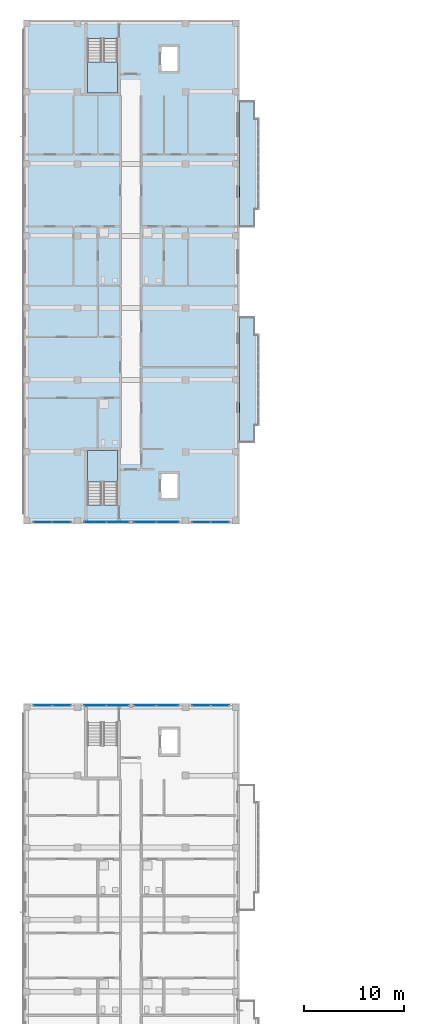
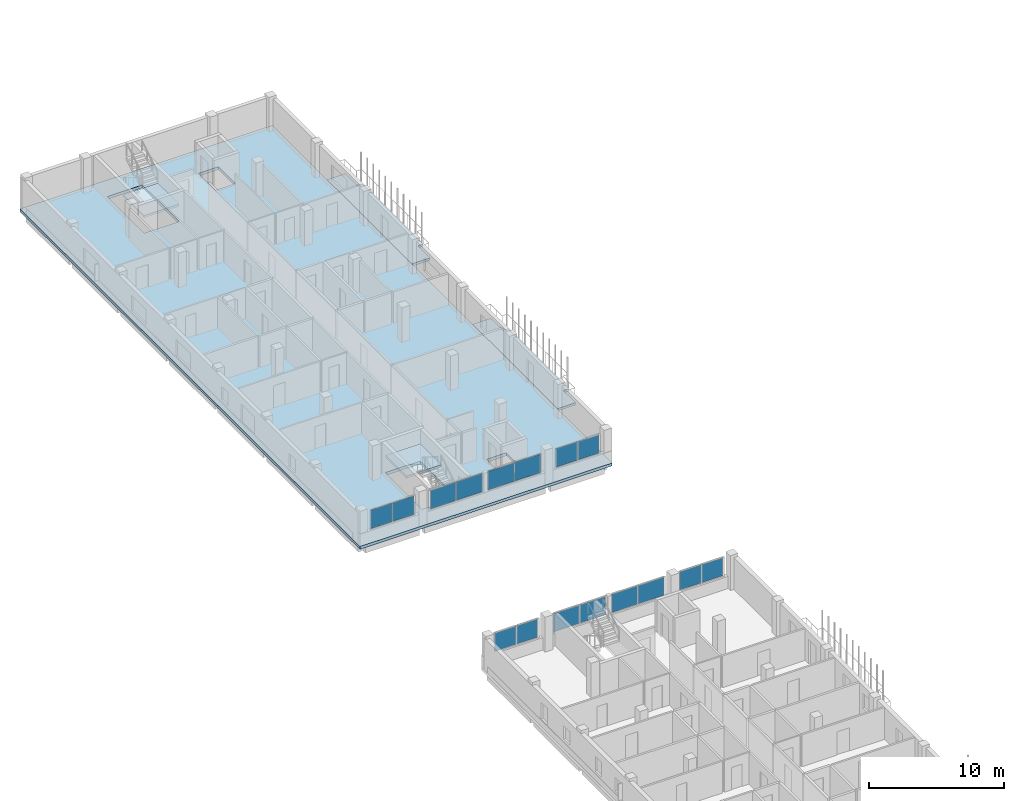
# One storey, part 21 of 51: 16 plates, 5 slabs, 10 elements without a shape of their own.
"""IFC4 building model written with IfcOpenShell, lengths in metres."""

from ifc_helpers import new_model, si_unit, derived_unit, direction, frame, origin, origin_2d, place, context, subcontext, project, spatial, polyline, rectangle, outline, extrude, material, layer, layer_set, type_object, element, aggregate, save


model = new_model("IFC4")

# Units and contexts
model_context = context("Model", 3, precision=1e-05, world=origin(), true_north=direction((0.0, 1.0)))
body_context = subcontext(model_context, "Body", "Model", "MODEL_VIEW")
ifc_project = project(units=[si_unit("LENGTHUNIT", "METRE"), si_unit("AREAUNIT", "SQUARE_METRE"), si_unit("VOLUMEUNIT", "CUBIC_METRE"), si_unit("PLANEANGLEUNIT", "RADIAN"), si_unit("MASSUNIT", "GRAM", prefix="KILO"), derived_unit("THERMALTRANSMITTANCEUNIT", [(si_unit("MASSUNIT", "GRAM", prefix="KILO"), 1), (si_unit("TIMEUNIT", "SECOND"), -3), (si_unit("THERMODYNAMICTEMPERATUREUNIT", "KELVIN"), -1)])], contexts=[model_context])

# Site, building, storey
site_placement = place(None, origin())
site = spatial("IfcSite", under=ifc_project, at=site_placement, CompositionType="ELEMENT")
building_placement = place(site_placement, origin())
building = spatial("IfcBuilding", under=site, at=building_placement, Name="Ochrekiln Boulevard Commons", CompositionType="ELEMENT")
storey_placement = place(building_placement, frame((0.0, 0.0, 18.375)))
storey = spatial("IfcBuildingStorey", under=building, at=storey_placement, Name="L05", CompositionType="ELEMENT", Elevation=18.375)

# Curtain wall, plates
ifc_material_1 = material(Name="Bronze-anodized extruded aluminium 6063-T6", Category="aluminium")
ifc_layer_1 = layer(ifc_material_1, 0.172119140625)
ifc_layer_set_1 = layer_set([ifc_layer_1], Name="Bronze-anodized extruded aluminium 6063-T6")
curtain_wall_type = type_object("IfcCurtainWallType", Name="CW-GABLE-A", PredefinedType="USERDEFINED", material=ifc_layer_set_1)
curtain_wall_1_placement = place(storey_placement, origin())
curtain_wall_1 = element("IfcCurtainWall", 1, at=curtain_wall_1_placement, inside=storey, type_object=curtain_wall_type, Name="Block A L05 Courtyard Glazed Gable Curtain Wall 4", ObjectType="GLAZED CURTAIN WALL", PredefinedType="USERDEFINED")
ifc_material_2 = material(Name="Spectrally selective low-E insulated glazing", Category="glass")
ifc_layer_2 = layer(ifc_material_2, 0.02392578125)
ifc_layer_set_2 = layer_set([ifc_layer_2], Name="Spectrally selective low-E insulated glazing")
plate_type_1 = type_object("IfcPlateType", Name="CWP-GLZ-1", PredefinedType="CURTAIN_PANEL", material=ifc_layer_set_2)
plate_1_placement = place(storey_placement, frame((17.788818359375, 68.56005859375, 1.175048828125), z_axis=(0.0, 0.0, 1.0), x_axis=(1.0, 0.0, 0.0)))
plate_1 = element("IfcPlate", 2, at=plate_1_placement, type_object=plate_type_1, Name="CW-01 panel 1.1", PredefinedType="CURTAIN_PANEL", context=body_context, shape_type="SweptSolid", body=[
    extrude(rectangle(XDim=1.8076171875, YDim=0.02392578125, at=origin_2d()), origin(), (0.0, 0.0, 1.0), 1.64990234375),
])
plate_2_placement = place(storey_placement, frame((19.6611328125, 68.56005859375, 1.175048828125), z_axis=(0.0, 0.0, 1.0), x_axis=(1.0, 0.0, 0.0)))
plate_2 = element("IfcPlate", 3, at=plate_2_placement, type_object=plate_type_1, Name="CW-01 panel 2.1", PredefinedType="CURTAIN_PANEL", context=body_context, shape_type="SweptSolid", body=[
    extrude(rectangle(XDim=1.8076171875, YDim=0.02392578125, at=origin_2d()), origin(), (0.0, 0.0, 1.0), 1.64990234375),
])
aggregate(curtain_wall_1, [plate_1, plate_2])

curtain_wall_2_placement = place(storey_placement, origin())
curtain_wall_2 = element("IfcCurtainWall", 4, at=curtain_wall_2_placement, inside=storey, type_object=curtain_wall_type, Name="Block D L05 Courtyard Glazed Gable Curtain Wall 4", ObjectType="GLAZED CURTAIN WALL", PredefinedType="USERDEFINED")
plate_3_placement = place(storey_placement, frame((17.788818359375, 50.217529296875, 1.175048828125), z_axis=(0.0, 0.0, 1.0), x_axis=(1.0, 0.0, 0.0)))
plate_3 = element("IfcPlate", 5, at=plate_3_placement, type_object=plate_type_1, Name="CW-01 panel 1.1", PredefinedType="CURTAIN_PANEL", context=body_context, shape_type="SweptSolid", body=[
    extrude(rectangle(XDim=1.8076171875, YDim=0.02392578125, at=origin_2d()), origin(), (0.0, 0.0, 1.0), 1.64990234375),
])
plate_4_placement = place(storey_placement, frame((19.6611328125, 50.217529296875, 1.175048828125), z_axis=(0.0, 0.0, 1.0), x_axis=(1.0, 0.0, 0.0)))
plate_4 = element("IfcPlate", 6, at=plate_4_placement, type_object=plate_type_1, Name="CW-01 panel 2.1", PredefinedType="CURTAIN_PANEL", context=body_context, shape_type="SweptSolid", body=[
    extrude(rectangle(XDim=1.8076171875, YDim=0.02392578125, at=origin_2d()), origin(), (0.0, 0.0, 1.0), 1.64990234375),
])
aggregate(curtain_wall_2, [plate_3, plate_4])

curtain_wall_3_placement = place(storey_placement, origin())
curtain_wall_3 = element("IfcCurtainWall", 7, at=curtain_wall_3_placement, inside=storey, type_object=curtain_wall_type, Name="Block A L05 Courtyard Glazed Gable Curtain Wall 1", ObjectType="GLAZED CURTAIN WALL", PredefinedType="USERDEFINED")
ifc_layer_3 = layer(ifc_material_2, 0.030029296875)
ifc_layer_set_3 = layer_set([ifc_layer_3], Name="Spectrally selective low-E insulated glazing")
plate_type_2 = type_object("IfcPlateType", Name="CWP-GLZ-2", PredefinedType="CURTAIN_PANEL", material=ifc_layer_set_3)
plate_5_placement = place(storey_placement, frame((1.9375, 68.56005859375, 1.169921875), z_axis=(0.0, 0.0, 1.0), x_axis=(1.0, 0.0, 0.0)))
plate_5 = element("IfcPlate", 8, at=plate_5_placement, type_object=plate_type_2, Name="CW-01 panel 1.1", PredefinedType="CURTAIN_PANEL", context=body_context, shape_type="SweptSolid", body=[
    extrude(rectangle(XDim=1.81494140625, YDim=0.030029296875, at=origin_2d()), origin(), (0.0, 0.0, 1.0), 1.659912109375),
])
plate_6_placement = place(storey_placement, frame((3.8125, 68.56005859375, 1.169921875), z_axis=(0.0, 0.0, 1.0), x_axis=(1.0, 0.0, 0.0)))
plate_6 = element("IfcPlate", 9, at=plate_6_placement, type_object=plate_type_2, Name="CW-01 panel 2.1", PredefinedType="CURTAIN_PANEL", context=body_context, shape_type="SweptSolid", body=[
    extrude(rectangle(XDim=1.81494140625, YDim=0.030029296875, at=origin_2d()), origin(), (0.0, 0.0, 1.0), 1.659912109375),
])
aggregate(curtain_wall_3, [plate_5, plate_6])

curtain_wall_4_placement = place(storey_placement, origin())
curtain_wall_4 = element("IfcCurtainWall", 10, at=curtain_wall_4_placement, inside=storey, type_object=curtain_wall_type, Name="Block D L05 Courtyard Glazed Gable Curtain Wall 1", ObjectType="GLAZED CURTAIN WALL", PredefinedType="USERDEFINED")
plate_7_placement = place(storey_placement, frame((1.938720703125, 50.217529296875, 1.175048828125), z_axis=(0.0, 0.0, 1.0), x_axis=(1.0, 0.0, 0.0)))
plate_7 = element("IfcPlate", 11, at=plate_7_placement, type_object=plate_type_2, Name="CW-01 panel 1.1", PredefinedType="CURTAIN_PANEL", context=body_context, shape_type="SweptSolid", body=[
    extrude(rectangle(XDim=1.8076171875, YDim=0.030029296875, at=origin_2d()), origin(), (0.0, 0.0, 1.0), 1.64990234375),
])
plate_8_placement = place(storey_placement, frame((3.811279296875, 50.217529296875, 1.175048828125), z_axis=(0.0, 0.0, 1.0), x_axis=(1.0, 0.0, 0.0)))
plate_8 = element("IfcPlate", 12, at=plate_8_placement, type_object=plate_type_2, Name="CW-01 panel 2.1", PredefinedType="CURTAIN_PANEL", context=body_context, shape_type="SweptSolid", body=[
    extrude(rectangle(XDim=1.8076171875, YDim=0.030029296875, at=origin_2d()), origin(), (0.0, 0.0, 1.0), 1.64990234375),
])
aggregate(curtain_wall_4, [plate_7, plate_8])

curtain_wall_5_placement = place(storey_placement, origin())
curtain_wall_5 = element("IfcCurtainWall", 13, at=curtain_wall_5_placement, inside=storey, type_object=curtain_wall_type, Name="Block A L05 Courtyard Glazed Gable Curtain Wall 2", ObjectType="GLAZED CURTAIN WALL", PredefinedType="USERDEFINED")
ifc_layer_4 = layer(ifc_material_2, 0.035888671875)
ifc_layer_set_4 = layer_set([ifc_layer_4], Name="Spectrally selective low-E insulated glazing")
plate_type_3 = type_object("IfcPlateType", Name="CWP-GLZ-3", PredefinedType="CURTAIN_PANEL", material=ifc_layer_set_4)
plate_9_placement = place(storey_placement, frame((7.18115234375, 68.56005859375, 1.175048828125), z_axis=(0.0, 0.0, 1.0), x_axis=(1.0, 0.0, 0.0)))
plate_9 = element("IfcPlate", 14, at=plate_9_placement, type_object=plate_type_3, Name="CW-01 panel 1.1", PredefinedType="CURTAIN_PANEL", context=body_context, shape_type="SweptSolid", body=[
    extrude(rectangle(XDim=2.1923828125, YDim=0.035888671875, at=origin_2d()), origin(), (0.0, 0.0, 1.0), 1.64990234375),
])
plate_10_placement = place(storey_placement, frame((9.438720703125, 68.56005859375, 1.175048828125), z_axis=(0.0, 0.0, 1.0), x_axis=(1.0, 0.0, 0.0)))
plate_10 = element("IfcPlate", 15, at=plate_10_placement, type_object=plate_type_3, Name="CW-01 panel 2.1", PredefinedType="CURTAIN_PANEL", context=body_context, shape_type="SweptSolid", body=[
    extrude(rectangle(XDim=2.1923828125, YDim=0.035888671875, at=origin_2d()), origin(), (0.0, 0.0, 1.0), 1.64990234375),
])
aggregate(curtain_wall_5, [plate_9, plate_10])

curtain_wall_6_placement = place(storey_placement, origin())
curtain_wall_6 = element("IfcCurtainWall", 16, at=curtain_wall_6_placement, inside=storey, type_object=curtain_wall_type, Name="Block D L05 Courtyard Glazed Gable Curtain Wall 2", ObjectType="GLAZED CURTAIN WALL", PredefinedType="USERDEFINED")
plate_11_placement = place(storey_placement, frame((7.18115234375, 50.217529296875, 1.175048828125), z_axis=(0.0, 0.0, 1.0), x_axis=(1.0, 0.0, 0.0)))
plate_11 = element("IfcPlate", 17, at=plate_11_placement, type_object=plate_type_3, Name="CW-01 panel 1.1", PredefinedType="CURTAIN_PANEL", context=body_context, shape_type="SweptSolid", body=[
    extrude(rectangle(XDim=2.1923828125, YDim=0.035888671875, at=origin_2d()), origin(), (0.0, 0.0, 1.0), 1.64990234375),
])
plate_12_placement = place(storey_placement, frame((9.438720703125, 50.217529296875, 1.175048828125), z_axis=(0.0, 0.0, 1.0), x_axis=(1.0, 0.0, 0.0)))
plate_12 = element("IfcPlate", 18, at=plate_12_placement, type_object=plate_type_3, Name="CW-01 panel 2.1", PredefinedType="CURTAIN_PANEL", context=body_context, shape_type="SweptSolid", body=[
    extrude(rectangle(XDim=2.1923828125, YDim=0.035888671875, at=origin_2d()), origin(), (0.0, 0.0, 1.0), 1.64990234375),
])
aggregate(curtain_wall_6, [plate_11, plate_12])

curtain_wall_7_placement = place(storey_placement, origin())
curtain_wall_7 = element("IfcCurtainWall", 19, at=curtain_wall_7_placement, inside=storey, type_object=curtain_wall_type, Name="Block A L05 Courtyard Glazed Gable Curtain Wall 3", ObjectType="GLAZED CURTAIN WALL", PredefinedType="USERDEFINED")
ifc_layer_5 = layer(ifc_material_2, 0.0419921875)
ifc_layer_set_5 = layer_set([ifc_layer_5], Name="Spectrally selective low-E insulated glazing")
plate_type_4 = type_object("IfcPlateType", Name="CWP-GLZ-4", PredefinedType="CURTAIN_PANEL", material=ifc_layer_set_5)
plate_13_placement = place(storey_placement, frame((12.159912109375, 68.56005859375, 1.169921875), z_axis=(0.0, 0.0, 1.0), x_axis=(1.0, 0.0, 0.0)))
plate_13 = element("IfcPlate", 20, at=plate_13_placement, type_object=plate_type_4, Name="CW-01 panel 1.1", PredefinedType="CURTAIN_PANEL", context=body_context, shape_type="SweptSolid", body=[
    extrude(rectangle(XDim=2.199951171875, YDim=0.0419921875, at=origin_2d()), origin(), (0.0, 0.0, 1.0), 1.659912109375),
])
plate_14_placement = place(storey_placement, frame((14.419921875, 68.56005859375, 1.169921875), z_axis=(0.0, 0.0, 1.0), x_axis=(1.0, 0.0, 0.0)))
plate_14 = element("IfcPlate", 21, at=plate_14_placement, type_object=plate_type_4, Name="CW-01 panel 2.1", PredefinedType="CURTAIN_PANEL", context=body_context, shape_type="SweptSolid", body=[
    extrude(rectangle(XDim=2.199951171875, YDim=0.0419921875, at=origin_2d()), origin(), (0.0, 0.0, 1.0), 1.659912109375),
])
aggregate(curtain_wall_7, [plate_13, plate_14])

curtain_wall_8_placement = place(storey_placement, origin())
curtain_wall_8 = element("IfcCurtainWall", 22, at=curtain_wall_8_placement, inside=storey, type_object=curtain_wall_type, Name="Block D L05 Courtyard Glazed Gable Curtain Wall 3", ObjectType="GLAZED CURTAIN WALL", PredefinedType="USERDEFINED")
plate_15_placement = place(storey_placement, frame((12.1611328125, 50.217529296875, 1.175048828125), z_axis=(0.0, 0.0, 1.0), x_axis=(1.0, 0.0, 0.0)))
plate_15 = element("IfcPlate", 23, at=plate_15_placement, type_object=plate_type_4, Name="CW-01 panel 1.1", PredefinedType="CURTAIN_PANEL", context=body_context, shape_type="SweptSolid", body=[
    extrude(rectangle(XDim=2.1923828125, YDim=0.0419921875, at=origin_2d()), origin(), (0.0, 0.0, 1.0), 1.64990234375),
])
plate_16_placement = place(storey_placement, frame((14.418701171875, 50.217529296875, 1.175048828125), z_axis=(0.0, 0.0, 1.0), x_axis=(1.0, 0.0, 0.0)))
plate_16 = element("IfcPlate", 24, at=plate_16_placement, type_object=plate_type_4, Name="CW-01 panel 2.1", PredefinedType="CURTAIN_PANEL", context=body_context, shape_type="SweptSolid", body=[
    extrude(rectangle(XDim=2.1923828125, YDim=0.0419921875, at=origin_2d()), origin(), (0.0, 0.0, 1.0), 1.64990234375),
])
aggregate(curtain_wall_8, [plate_15, plate_16])

# Slabs
ifc_material_3 = material(Name="Concrete C35/45", Category="concrete")
ifc_layer_6 = layer(ifc_material_3, 0.219970703125)
ifc_layer_set_6 = layer_set([ifc_layer_6], Name="Concrete C35/45")
slab_type_1 = type_object("IfcSlabType", Name="SLB-BAL-220", PredefinedType="FLOOR", material=ifc_layer_set_6)
slab_1_placement = place(storey_placement, frame((0.0, 0.0, -0.219970703125)))
element("IfcSlab", 25, at=slab_1_placement, inside=storey, type_object=slab_type_1, Name="Block A L05 Planter-Box Balcony Slab 1", PredefinedType="FLOOR", context=body_context, shape_type="SweptSolid", body=[
    extrude(outline(polyline([(21.60009765625, 76.5), (23.14990234375, 76.5), (23.14990234375, 78.300048828125), (23.60009765625, 78.300048828125), (23.60009765625, 87.300048828125), (23.14990234375, 87.300048828125), (23.14990234375, 89.10009765625), (21.60009765625, 89.10009765625), (21.60009765625, 76.5)])), origin(), (0.0, 0.0, 1.0), 0.219970703125),
])
slab_2_placement = place(storey_placement, frame((0.0, 0.0, -0.219970703125)))
element("IfcSlab", 26, at=slab_2_placement, inside=storey, type_object=slab_type_1, Name="Block A L05 Planter-Box Balcony Slab 2", PredefinedType="FLOOR", context=body_context, shape_type="SweptSolid", body=[
    extrude(outline(polyline([(21.60009765625, 98.10009765625), (23.14990234375, 98.10009765625), (23.14990234375, 99.89990234375), (23.60009765625, 99.89990234375), (23.60009765625, 108.89990234375), (23.14990234375, 108.89990234375), (23.14990234375, 110.699951171875), (21.60009765625, 110.699951171875), (21.60009765625, 98.10009765625)])), origin(), (0.0, 0.0, 1.0), 0.219970703125),
])

# Stair, slab
stair_type = type_object("IfcStairType", Name="STR-DL-315", PredefinedType="TWO_STRAIGHT_RUN_STAIR", material=ifc_material_3)
stair_1_placement = place(storey_placement, origin())
stair_1 = element("IfcStair", 27, at=stair_1_placement, inside=storey, type_object=stair_type, Name="L05 Enclosed Exit Stair ST-A1", PredefinedType="TWO_STRAIGHT_RUN_STAIR")
ifc_layer_7 = layer(ifc_material_3, 0.199951171875)
ifc_layer_set_7 = layer_set([ifc_layer_7], Name="Concrete C35/45")
slab_type_2 = type_object("IfcSlabType", Name="SLB-LND-200", PredefinedType="LANDING", material=ifc_layer_set_7)
slab_3_placement = place(storey_placement, frame((0.0, 0.0, 1.375)))
slab_3 = element("IfcSlab", 28, at=slab_3_placement, type_object=slab_type_2, Name="ST-A1 landing 1", PredefinedType="LANDING", context=body_context, shape_type="SweptSolid", body=[
    extrude(outline(polyline([(9.39990234375, 72.590087890625), (9.39990234375, 75.719970703125), (6.39990234375, 75.719970703125), (6.39990234375, 72.590087890625), (9.39990234375, 72.590087890625)])), origin(), (0.0, 0.0, 1.0), 0.199951171875),
])
aggregate(stair_1, [slab_3])

stair_2_placement = place(storey_placement, origin())
stair_2 = element("IfcStair", 29, at=stair_2_placement, inside=storey, type_object=stair_type, Name="L05 Enclosed Exit Stair ST-A2", PredefinedType="TWO_STRAIGHT_RUN_STAIR")
slab_4_placement = place(storey_placement, frame((0.0, 0.0, 1.375)))
slab_4 = element("IfcSlab", 30, at=slab_4_placement, type_object=slab_type_2, Name="ST-A2 landing 1", PredefinedType="LANDING", context=body_context, shape_type="SweptSolid", body=[
    extrude(outline(polyline([(6.39990234375, 114.610107421875), (6.39990234375, 111.47998046875), (9.39990234375, 111.47998046875), (9.39990234375, 114.610107421875), (6.39990234375, 114.610107421875)])), origin(), (0.0, 0.0, 1.0), 0.199951171875),
])
aggregate(stair_2, [slab_4])

# Slab
ifc_layer_8 = layer(ifc_material_3, 0.260009765625)
ifc_layer_set_8 = layer_set([ifc_layer_8], Name="Concrete C35/45")
slab_type_3 = type_object("IfcSlabType", Name="SLB-RES-260", PredefinedType="FLOOR", material=ifc_layer_set_8)
slab_5_placement = place(storey_placement, frame((0.0, 0.0, -0.260009765625)))
element("IfcSlab", 31, at=slab_5_placement, inside=storey, type_object=slab_type_3, Name="Block A L05 Reinforced Concrete Floor Slab", PredefinedType="FLOOR", context=body_context, shape_type="SweptSolid", body=[
    extrude(outline(polyline([(0.0, 68.39990234375), (21.60009765625, 68.39990234375), (21.60009765625, 118.800048828125), (0.0, 118.800048828125), (0.0, 68.39990234375)]), holes=[polyline([(9.39990234375, 70.2705078125), (9.39990234375, 75.719970703125), (6.39990234375, 75.719970703125), (6.39990234375, 70.2705078125), (9.39990234375, 70.2705078125)]), polyline([(6.39990234375, 116.929443359375), (6.39990234375, 111.47998046875), (9.39990234375, 111.47998046875), (9.39990234375, 116.929443359375), (6.39990234375, 116.929443359375)]), polyline([(13.75, 70.949951171875), (15.449951171875, 70.949951171875), (15.449951171875, 73.449951171875), (13.75, 73.449951171875), (13.75, 70.949951171875)]), polyline([(13.75, 113.64990234375), (15.449951171875, 113.64990234375), (15.449951171875, 116.14990234375), (13.75, 116.14990234375), (13.75, 113.64990234375)])]), origin(), (0.0, 0.0, 1.0), 0.260009765625),
])

save(model, "model.ifc")
